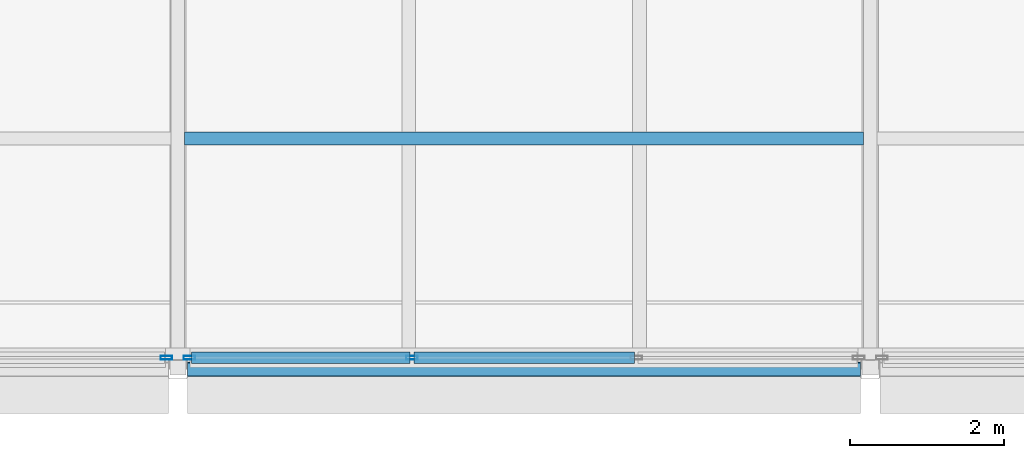
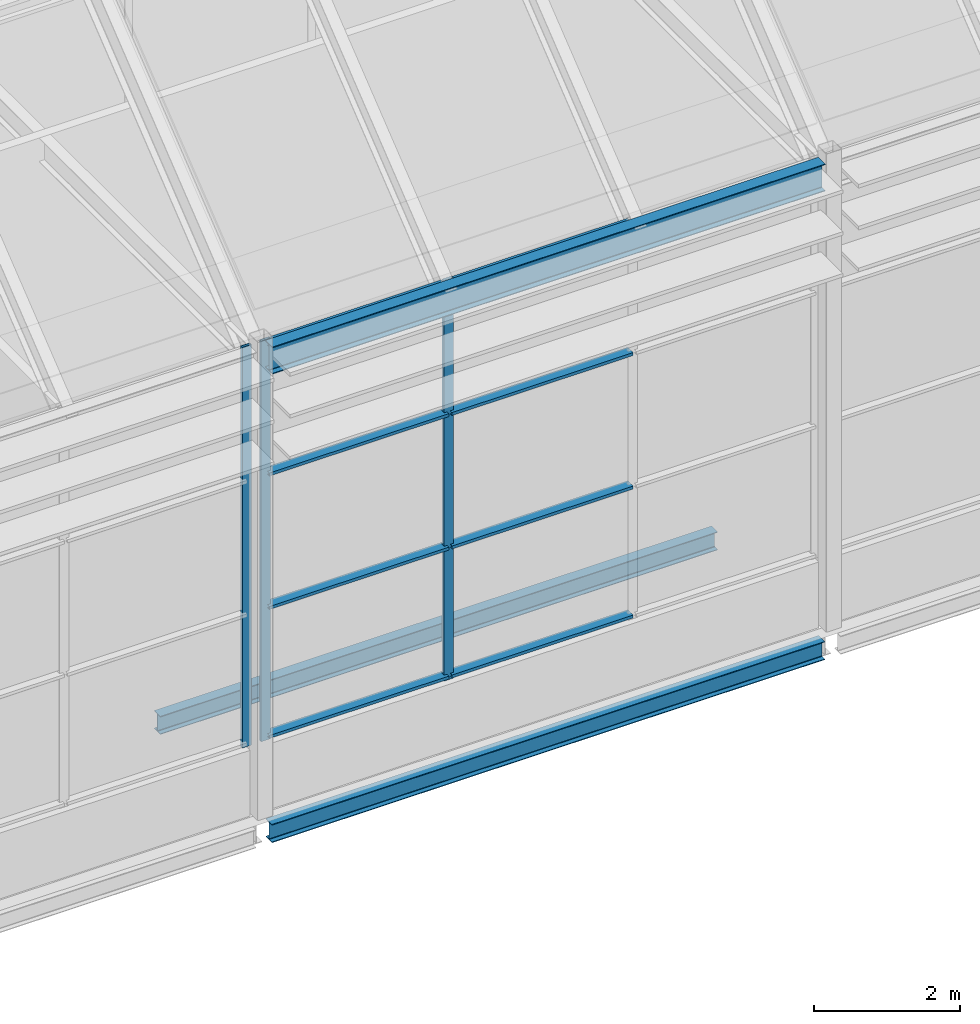
# One storey, part 25 of 144: 11 members, 3 beams, 2 elements without a shape of their own.
"""IFC4 building model written with IfcOpenShell, lengths in metres."""

from ifc_helpers import new_model, si_unit, direction, frame, origin, origin_2d, place, context, subcontext, project, spatial, hollow_rectangle, i_section, extrude, material, layer, layer_set, material_profile, profile_set, type_object, element, aggregate, save


model = new_model("IFC4")

# Units and contexts
model_context = context("Model", 3, precision=1e-05, world=origin(), true_north=direction((0.0, 1.0)))
body_context = subcontext(model_context, "Body", "Model", "MODEL_VIEW")
ifc_project = project(units=[si_unit("LENGTHUNIT", "METRE"), si_unit("AREAUNIT", "SQUARE_METRE"), si_unit("VOLUMEUNIT", "CUBIC_METRE"), si_unit("PLANEANGLEUNIT", "RADIAN"), si_unit("MASSUNIT", "GRAM", prefix="KILO")], contexts=[model_context])

# Site, building, storey
site_placement = place(None, origin())
site = spatial("IfcSite", under=ifc_project, at=site_placement, CompositionType="ELEMENT")
building_placement = place(site_placement, origin())
building = spatial("IfcBuilding", under=site, at=building_placement, Name="Shorebreak Coast Museum", CompositionType="ELEMENT")
storey_placement = place(building_placement, frame((0.0, 0.0, 36.0)))
storey = spatial("IfcBuildingStorey", under=building, at=storey_placement, Name="L06", CompositionType="ELEMENT", Elevation=36.0)

# Beams
ifc_material_1 = material(Name="Steel Grade 300", Category="steel")
ifc_material_profile_1 = material_profile(ifc_material_1, i_section(OverallWidth=0.166015625, OverallDepth=0.30712890625, WebThickness=0.006591796875, FlangeThickness=0.01171875, FilletRadius=0.011474609375, at=origin_2d()), Name="310UB46.2")
ifc_profile_set_1 = profile_set([ifc_material_profile_1], Name="Steel Grade 300")
beam_type_1 = type_object("IfcBeamType", Name="Floor girder east-west 310UB46.2", PredefinedType="BEAM", material=ifc_profile_set_1)
beam_1_placement = place(storey_placement, frame((72.125, 54.0, -0.32861328125), z_axis=(1.0, 0.0, 0.0), x_axis=(0.0, 1.0, 0.0)))
element("IfcBeam", 1, at=beam_1_placement, inside=storey, type_object=beam_type_1, Name="Floor girder east-west L06 9G", PredefinedType="BEAM", context=body_context, shape_type="SweptSolid", body=[
    extrude(i_section(OverallWidth=0.166015625, OverallDepth=0.30712890625, WebThickness=0.006591796875, FlangeThickness=0.01171875, FilletRadius=0.011474609375, at=origin_2d()), origin(), (0.0, 0.0, 1.0), 8.75),
])
ifc_material_2 = material(Name="Steel Grade 300", Category="steel")
ifc_material_profile_2 = material_profile(ifc_material_2, i_section(OverallWidth=0.1650390625, OverallDepth=0.303955078125, WebThickness=0.006103515625, FlangeThickness=0.01025390625, FilletRadius=0.011474609375, at=origin_2d()), Name="310UB40.4")
ifc_profile_set_2 = profile_set([ifc_material_profile_2], Name="Steel Grade 300")
beam_type_2 = type_object("IfcBeamType", Name="Floor joist 310UB40.4", PredefinedType="JOIST", material=ifc_profile_set_2)
beam_2_placement = place(storey_placement, frame((72.089111328125, 57.0, -0.326904296875), z_axis=(1.0, 0.0, 0.0), x_axis=(0.0, 1.0, 0.0)))
element("IfcBeam", 2, at=beam_2_placement, inside=storey, type_object=beam_type_2, Name="Floor joist L06 bay 9G at 3000 mm", PredefinedType="JOIST", context=body_context, shape_type="SweptSolid", body=[
    extrude(i_section(OverallWidth=0.1650390625, OverallDepth=0.303955078125, WebThickness=0.006103515625, FlangeThickness=0.01025390625, FilletRadius=0.011474609375, at=origin_2d()), origin(), (0.0, 0.0, 1.0), 8.82177734375),
])
ifc_material_3 = material(Name="Steel Grade 300", Category="steel")
ifc_material_profile_3 = material_profile(ifc_material_3, i_section(OverallWidth=0.18994140625, OverallDepth=0.453857421875, WebThickness=0.008544921875, FlangeThickness=0.0126953125, FilletRadius=0.011474609375, at=origin_2d()), Name="460UB67.1")
ifc_profile_set_3 = profile_set([ifc_material_profile_3], Name="Steel Grade 300")
beam_type_3 = type_object("IfcBeamType", Name="Fold valley girder 460UB67.1", PredefinedType="BEAM", material=ifc_profile_set_3)
beam_3_placement = place(storey_placement, frame((72.125, 54.0, 7.593017578125), z_axis=(1.0, 0.0, 0.0), x_axis=(0.0, 1.0, 0.0)))
element("IfcBeam", 3, at=beam_3_placement, inside=storey, type_object=beam_type_3, Name="Fold valley girder FOLD-X line G bay 9G", PredefinedType="BEAM", context=body_context, shape_type="SweptSolid", body=[
    extrude(i_section(OverallWidth=0.18994140625, OverallDepth=0.453857421875, WebThickness=0.008544921875, FlangeThickness=0.0126953125, FilletRadius=0.011474609375, at=origin_2d()), origin(), (0.0, 0.0, 1.0), 8.75),
])

# Curtain wall, member
ifc_material_4 = material(Name="Aluminium", Category="aluminium")
ifc_layer = layer(ifc_material_4, 0.14990234375)
ifc_layer_set = layer_set([ifc_layer], Name="Aluminium")
curtain_wall_type = type_object("IfcCurtainWallType", Name="Storefront curtain wall", PredefinedType="NOTDEFINED", material=ifc_layer_set)
curtain_wall_1_placement = place(storey_placement, origin())
curtain_wall_1 = element("IfcCurtainWall", 4, at=curtain_wall_1_placement, inside=storey, type_object=curtain_wall_type, Name="Atrium Hall glazing L06 S 22", PredefinedType="NOTDEFINED")
ifc_material_5 = material(Name="Aluminium", Category="aluminium")
ifc_material_profile_4 = material_profile(ifc_material_5, hollow_rectangle(XDim=0.050048828125, YDim=0.14990234375, WallThickness=0.00390625, at=origin_2d()), Name="AL 150x50 RHS")
ifc_profile_set_4 = profile_set([ifc_material_profile_4], Name="Aluminium")
member_type_1 = type_object("IfcMemberType", Name="Storefront mullion 50 x 150", PredefinedType="MULLION", material=ifc_profile_set_4)
member_1_placement = place(storey_placement, frame((71.85009765625, 54.14990234375, 1.10009765625), z_axis=(0.0, 0.0, 1.0), x_axis=(0.0, 1.0, 0.0)))
member_1 = element("IfcMember", 5, at=member_1_placement, type_object=member_type_1, Name="CW5 mullion 4", PredefinedType="MULLION", context=body_context, shape_type="SweptSolid", body=[
    extrude(hollow_rectangle(XDim=0.050048828125, YDim=0.14990234375, WallThickness=0.00390625, at=origin_2d()), origin(), (0.0, 0.0, 1.0), 6.699951171875),
])
aggregate(curtain_wall_1, [member_1])

# Curtain wall, members
curtain_wall_2_placement = place(storey_placement, origin())
curtain_wall_2 = element("IfcCurtainWall", 6, at=curtain_wall_2_placement, inside=storey, type_object=curtain_wall_type, Name="Atrium Hall glazing L06 S 23", PredefinedType="NOTDEFINED")
member_2_placement = place(storey_placement, frame((72.14990234375, 54.14990234375, 1.10009765625), z_axis=(0.0, 0.0, 1.0), x_axis=(0.0, 1.0, 0.0)))
member_2 = element("IfcMember", 7, at=member_2_placement, type_object=member_type_1, Name="CW5 mullion 1", PredefinedType="MULLION", context=body_context, shape_type="SweptSolid", body=[
    extrude(hollow_rectangle(XDim=0.050048828125, YDim=0.14990234375, WallThickness=0.00390625, at=origin_2d()), origin(), (0.0, 0.0, 1.0), 6.699951171875),
])
member_3_placement = place(storey_placement, frame((75.041748046875, 54.14990234375, 1.10009765625), z_axis=(0.0, 0.0, 1.0), x_axis=(0.0, 1.0, 0.0)))
member_3 = element("IfcMember", 8, at=member_3_placement, type_object=member_type_1, Name="CW5 mullion 2", PredefinedType="MULLION", context=body_context, shape_type="SweptSolid", body=[
    extrude(hollow_rectangle(XDim=0.050048828125, YDim=0.14990234375, WallThickness=0.00390625, at=origin_2d()), origin(), (0.0, 0.0, 1.0), 6.699951171875),
])
ifc_material_6 = material(Name="Aluminium", Category="aluminium")
ifc_material_profile_5 = material_profile(ifc_material_6, hollow_rectangle(XDim=0.14990234375, YDim=0.050048828125, WallThickness=0.00390625, at=origin_2d()), Name="AL 50x150 RHS")
ifc_profile_set_5 = profile_set([ifc_material_profile_5], Name="Aluminium")
member_type_2 = type_object("IfcMemberType", Name="Storefront transom 150 x 50", PredefinedType="USERDEFINED", material=ifc_profile_set_5)
member_4_placement = place(storey_placement, frame((72.175048828125, 54.14990234375, 1.175048828125), z_axis=(1.0, 0.0, 0.0), x_axis=(0.0, 1.0, 0.0)))
member_4 = element("IfcMember", 9, at=member_4_placement, type_object=member_type_2, Name="CW5 transom 1.1", ObjectType="TRANSOM", PredefinedType="USERDEFINED", context=body_context, shape_type="SweptSolid", body=[
    extrude(hollow_rectangle(XDim=0.14990234375, YDim=0.050048828125, WallThickness=0.00390625, at=origin_2d()), origin(), (0.0, 0.0, 1.0), 2.841552734375),
])
member_5_placement = place(storey_placement, frame((72.175048828125, 54.14990234375, 3.333251953125), z_axis=(1.0, 0.0, 0.0), x_axis=(0.0, 1.0, 0.0)))
member_5 = element("IfcMember", 10, at=member_5_placement, type_object=member_type_2, Name="CW5 transom 1.2", ObjectType="TRANSOM", PredefinedType="USERDEFINED", context=body_context, shape_type="SweptSolid", body=[
    extrude(hollow_rectangle(XDim=0.14990234375, YDim=0.050048828125, WallThickness=0.00390625, at=origin_2d()), origin(), (0.0, 0.0, 1.0), 2.841552734375),
])
member_6_placement = place(storey_placement, frame((72.175048828125, 54.14990234375, 5.566650390625), z_axis=(1.0, 0.0, 0.0), x_axis=(0.0, 1.0, 0.0)))
member_6 = element("IfcMember", 11, at=member_6_placement, type_object=member_type_2, Name="CW5 transom 1.3", ObjectType="TRANSOM", PredefinedType="USERDEFINED", context=body_context, shape_type="SweptSolid", body=[
    extrude(hollow_rectangle(XDim=0.14990234375, YDim=0.050048828125, WallThickness=0.00390625, at=origin_2d()), origin(), (0.0, 0.0, 1.0), 2.841552734375),
])
member_7_placement = place(storey_placement, frame((72.175048828125, 54.14990234375, 7.72509765625), z_axis=(1.0, 0.0, 0.0), x_axis=(0.0, 1.0, 0.0)))
member_7 = element("IfcMember", 12, at=member_7_placement, type_object=member_type_2, Name="CW5 transom 1.4", ObjectType="TRANSOM", PredefinedType="USERDEFINED", context=body_context, shape_type="SweptSolid", body=[
    extrude(hollow_rectangle(XDim=0.14990234375, YDim=0.050048828125, WallThickness=0.00390625, at=origin_2d()), origin(), (0.0, 0.0, 1.0), 2.841552734375),
])
member_8_placement = place(storey_placement, frame((75.066650390625, 54.14990234375, 1.175048828125), z_axis=(1.0, 0.0, 0.0), x_axis=(0.0, 1.0, 0.0)))
member_8 = element("IfcMember", 13, at=member_8_placement, type_object=member_type_2, Name="CW5 transom 2.1", ObjectType="TRANSOM", PredefinedType="USERDEFINED", context=body_context, shape_type="SweptSolid", body=[
    extrude(hollow_rectangle(XDim=0.14990234375, YDim=0.050048828125, WallThickness=0.00390625, at=origin_2d()), origin(), (0.0, 0.0, 1.0), 2.86669921875),
])
member_9_placement = place(storey_placement, frame((75.066650390625, 54.14990234375, 3.333251953125), z_axis=(1.0, 0.0, 0.0), x_axis=(0.0, 1.0, 0.0)))
member_9 = element("IfcMember", 14, at=member_9_placement, type_object=member_type_2, Name="CW5 transom 2.2", ObjectType="TRANSOM", PredefinedType="USERDEFINED", context=body_context, shape_type="SweptSolid", body=[
    extrude(hollow_rectangle(XDim=0.14990234375, YDim=0.050048828125, WallThickness=0.00390625, at=origin_2d()), origin(), (0.0, 0.0, 1.0), 2.86669921875),
])
member_10_placement = place(storey_placement, frame((75.066650390625, 54.14990234375, 5.566650390625), z_axis=(1.0, 0.0, 0.0), x_axis=(0.0, 1.0, 0.0)))
member_10 = element("IfcMember", 15, at=member_10_placement, type_object=member_type_2, Name="CW5 transom 2.3", ObjectType="TRANSOM", PredefinedType="USERDEFINED", context=body_context, shape_type="SweptSolid", body=[
    extrude(hollow_rectangle(XDim=0.14990234375, YDim=0.050048828125, WallThickness=0.00390625, at=origin_2d()), origin(), (0.0, 0.0, 1.0), 2.86669921875),
])
member_11_placement = place(storey_placement, frame((75.066650390625, 54.14990234375, 7.72509765625), z_axis=(1.0, 0.0, 0.0), x_axis=(0.0, 1.0, 0.0)))
member_11 = element("IfcMember", 16, at=member_11_placement, type_object=member_type_2, Name="CW5 transom 2.4", ObjectType="TRANSOM", PredefinedType="USERDEFINED", context=body_context, shape_type="SweptSolid", body=[
    extrude(hollow_rectangle(XDim=0.14990234375, YDim=0.050048828125, WallThickness=0.00390625, at=origin_2d()), origin(), (0.0, 0.0, 1.0), 2.86669921875),
])
aggregate(curtain_wall_2, [member_2, member_3, member_4, member_5, member_6, member_7, member_8, member_9, member_10, member_11])

save(model, "model.ifc")
